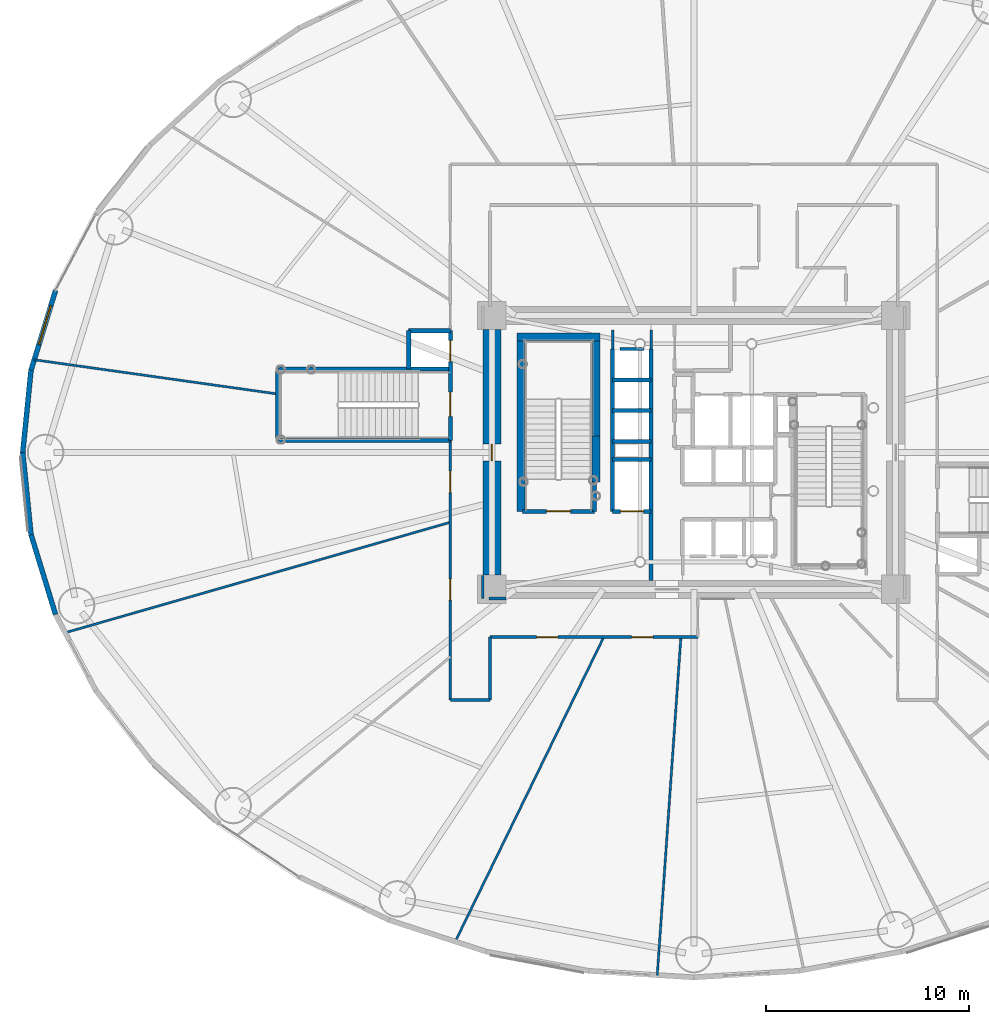
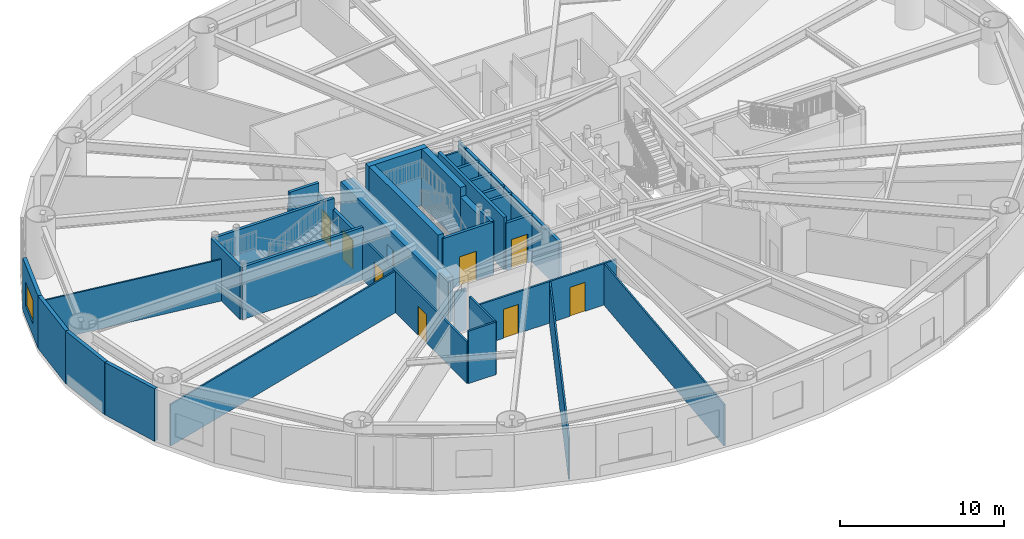
# One storey, part 13 of 27: 37 walls, 9 doors, 1 window, 10 openings.
"""IFC4 building model written with IfcOpenShell, lengths in metres."""

from ifc_helpers import new_model, si_unit, direction, frame, frame_2d, origin, origin_2d, place, context, subcontext, project, spatial, rectangle, extrude, source, transform, mapped, material, layer, layer_set, type_object, element, fill, save


model = new_model("IFC4")

# Units and contexts
model_context = context("Model", 3, precision=1e-05, world=origin(), true_north=direction((0.0, 1.0)))
body_context = subcontext(model_context, "Body", "Model", "MODEL_VIEW")
ifc_project = project(units=[si_unit("LENGTHUNIT", "METRE"), si_unit("AREAUNIT", "SQUARE_METRE"), si_unit("VOLUMEUNIT", "CUBIC_METRE"), si_unit("PLANEANGLEUNIT", "RADIAN"), si_unit("MASSUNIT", "GRAM", prefix="KILO")], contexts=[model_context])

# Site, building, storey
site_placement = place(None, origin())
site = spatial("IfcSite", under=ifc_project, at=site_placement, CompositionType="ELEMENT")
building_placement = place(site_placement, origin())
building = spatial("IfcBuilding", under=site, at=building_placement, Name="Linh Dai School and Residence Tower", CompositionType="ELEMENT")
storey_placement = place(building_placement, frame((0.0, 0.0, 14.39990234375)))
storey = spatial("IfcBuildingStorey", under=building, at=storey_placement, Name="L03", CompositionType="ELEMENT", Elevation=14.39990234375)

# Wall, opening, window
ifc_material_1 = material(Name="Precast Concrete B45 (C35/45)", Category="concrete")
ifc_layer_1 = layer(ifc_material_1, 0.25)
ifc_layer_set_1 = layer_set([ifc_layer_1], Name="Precast Concrete B45 (C35/45)")
wall_type_1 = type_object("IfcWallType", Name="EW-TC-250", PredefinedType="SOLIDWALL", material=ifc_layer_set_1)
wall_1_placement = place(storey_placement, frame((3.331298828125, 31.04248046875, 0.0), z_axis=(0.0, 0.0, 1.0), x_axis=(0.293070945898, 0.956090696885, 0.0)))
wall_1 = element("IfcWall", 1, at=wall_1_placement, inside=storey, type_object=wall_type_1, Name="L03 Terracotta Exterior Wall 19", PredefinedType="SOLIDWALL", context=body_context, shape_type="SweptSolid", body=[
    extrude(rectangle(XDim=4.125244140625, YDim=0.25, at=frame_2d((2.0625, 0.0))), origin(), (0.0, 0.0, 1.0), 3.900146484375),
])
opening_1_placement = place(wall_1_placement, frame((1.341552734375, 0.0, 0.89990234375)))
opening_1 = element("IfcOpeningElement", 2, at=opening_1_placement, cuts=wall_1, Name="Opening W1", PredefinedType="OPENING", context=body_context, shape_type="SweptSolid", body=[
    extrude(rectangle(XDim=2.0, YDim=1.75, at=origin_2d()), frame((1.0, 0.135009765625, 0.875), z_axis=(0.0, -1.0, 0.0), x_axis=(1.0, 0.0, 0.0)), (0.0, 0.0, 1.0), 0.27001953125),
])
ifc_material_2 = material(Name="Double Low-E Insulated Glazing", Category="glass")
window_type = type_object("IfcWindowType", Name="WN-RES-2000x1750", PartitioningType="DOUBLE_PANEL_VERTICAL", PredefinedType="WINDOW", material=ifc_material_2)
shared_shape_1 = source(origin(), body_context, "Body", "SweptSolid", [
    extrude(rectangle(XDim=2.0, YDim=1.75, at=origin_2d()), frame((1.0, 0.030029296875, 0.875), z_axis=(0.0, -1.0, 0.0), x_axis=(1.0, 0.0, 0.0)), (0.0, 0.0, 1.0), 0.06005859375),
])
window_placement = place(opening_1_placement, origin())
window = element("IfcWindow", 3, at=window_placement, inside=storey, type_object=window_type, Name="L03 Exterior Window 19.1", OverallHeight=1.75, OverallWidth=2.0, PartitioningType="DOUBLE_PANEL_VERTICAL", PredefinedType="WINDOW", context=body_context, shape_type="MappedRepresentation", body=[
    mapped(shared_shape_1, transform((0.0, 0.0, 0.0), x_axis=(1.0, 0.0, 0.0), y_axis=(0.0, 1.0, 0.0), z_axis=(0.0, 0.0, 1.0), scale=1.0)),
])
fill(opening_1, window)

# Walls
for number, where, z_axis, x_axis, name in (
    (4, (2.925048828125, 27.0, 0.0), (0.0, 0.0, 1.0), (0.099991575324, 0.994988283782, 0.0), "L03 Terracotta Exterior Wall 20"),
    (5, (3.331298828125, 22.95751953125, 0.0), (0.0, 0.0, 1.0), (-0.099991575324, 0.994988283782, 0.0), "L03 Terracotta Exterior Wall 21"),
):
    element("IfcWall", number, at=place(storey_placement, frame(where, z_axis=z_axis, x_axis=x_axis)), inside=storey, type_object=wall_type_1, Name=name, PredefinedType="SOLIDWALL", context=body_context, shape_type="SweptSolid", body=[
        extrude(rectangle(XDim=4.062744140625, YDim=0.25, at=frame_2d((2.03125, 0.0))), origin(), (0.0, 0.0, 1.0), 3.900146484375),
    ])
wall_2_placement = place(storey_placement, frame((4.540283203125, 19.013427734375, 0.0), z_axis=(0.0, 0.0, 1.0), x_axis=(-0.293070945898, 0.956090696885, 0.0)))
element("IfcWall", 6, at=wall_2_placement, inside=storey, type_object=wall_type_1, Name="L03 Terracotta Exterior Wall 22", PredefinedType="SOLIDWALL", context=body_context, shape_type="SweptSolid", body=[
    extrude(rectangle(XDim=4.125244140625, YDim=0.25, at=frame_2d((2.0625, 0.0))), origin(), (0.0, 0.0, 1.0), 3.900146484375),
])

# Wall, openings, doors
ifc_material_3 = material(Name="Autoclaved Aerated Concrete Blockwork", Category="masonry")
ifc_layer_2 = layer(ifc_material_3, 0.135009765625)
ifc_layer_set_2 = layer_set([ifc_layer_2], Name="Autoclaved Aerated Concrete Blockwork")
wall_type_2 = type_object("IfcWallType", Name="IW-CORR-135-EI90", PredefinedType="PARTITIONING", material=ifc_layer_set_2)
wall_3_placement = place(storey_placement, frame((24.0, 14.800048828125, 0.0), z_axis=(0.0, 0.0, 1.0), x_axis=(0.0, 1.0, 0.0)))
wall_3 = element("IfcWall", 7, at=wall_3_placement, inside=storey, type_object=wall_type_2, Name="L03 Interior Partition Wall 011", PredefinedType="PARTITIONING", context=body_context, shape_type="SweptSolid", body=[
    extrude(rectangle(XDim=12.780029296875, YDim=0.135009765625, at=frame_2d((6.39013671875, 0.0))), origin(), (0.0, 0.0, 1.0), 3.085205078125),
])
opening_2_placement = place(wall_3_placement, frame((10.224609375, 0.0, 0.0)))
opening_2 = element("IfcOpeningElement", 8, at=opening_2_placement, cuts=wall_3, Name="Opening D04", PredefinedType="OPENING", context=body_context, shape_type="SweptSolid", body=[
    extrude(rectangle(XDim=1.050048828125, YDim=2.14990234375, at=origin_2d()), frame((0.52490234375, 0.07763671875, 1.074951171875), z_axis=(0.0, -1.0, 0.0), x_axis=(1.0, 0.0, 0.0)), (0.0, 0.0, 1.0), 0.155029296875),
])
opening_3_placement = place(wall_3_placement, frame((4.919921875, 0.0, 0.0)))
opening_3 = element("IfcOpeningElement", 9, at=opening_3_placement, cuts=wall_3, Name="Opening D04", PredefinedType="OPENING", context=body_context, shape_type="SweptSolid", body=[
    extrude(rectangle(XDim=1.050048828125, YDim=2.14990234375, at=origin_2d()), frame((0.52490234375, 0.07763671875, 1.074951171875), z_axis=(0.0, -1.0, 0.0), x_axis=(1.0, 0.0, 0.0)), (0.0, 0.0, 1.0), 0.155029296875),
])
ifc_material_4 = material(Name="Acoustic Vision-Panel Timber Classroom Door", Category="wood")
door_type_1 = type_object("IfcDoorType", Name="DR-SCH-1050x2150-FD60S", OperationType="NOTDEFINED", PredefinedType="DOOR", material=ifc_material_4)
shared_shape_2 = source(origin(), body_context, "Body", "SweptSolid", [
    extrude(rectangle(XDim=1.050048828125, YDim=2.14990234375, at=origin_2d()), frame((0.52490234375, 0.02490234375, 1.074951171875), z_axis=(0.0, -1.0, 0.0), x_axis=(1.0, 0.0, 0.0)), (0.0, 0.0, 1.0), 0.050048828125),
])
door_1_placement = place(opening_2_placement, origin())
door_1 = element("IfcDoor", 10, at=door_1_placement, inside=storey, type_object=door_type_1, Name="L03 Middle School Classroom 3 Door", OperationType="SINGLE_SWING_LEFT", OverallHeight=2.14990234375, OverallWidth=1.050048828125, PredefinedType="DOOR", context=body_context, shape_type="MappedRepresentation", body=[
    mapped(shared_shape_2, transform((0.0, 0.0, 0.0), x_axis=(1.0, 0.0, 0.0), y_axis=(0.0, 1.0, 0.0), z_axis=(0.0, 0.0, 1.0), scale=1.0)),
])
fill(opening_2, door_1)
door_2_placement = place(opening_3_placement, origin())
door_2 = element("IfcDoor", 11, at=door_2_placement, inside=storey, type_object=door_type_1, Name="L03 Middle School Classroom 4 Door", OperationType="SINGLE_SWING_RIGHT", OverallHeight=2.14990234375, OverallWidth=1.050048828125, PredefinedType="DOOR", context=body_context, shape_type="MappedRepresentation", body=[
    mapped(shared_shape_2, transform((0.0, 0.0, 0.0), x_axis=(1.0, 0.0, 0.0), y_axis=(0.0, 1.0, 0.0), z_axis=(0.0, 0.0, 1.0), scale=1.0)),
])
fill(opening_3, door_2)

# Walls
wall_4_placement = place(storey_placement, frame((24.0, 14.800048828125, 0.0), z_axis=(0.0, 0.0, 1.0), x_axis=(1.0, 0.0, 0.0)))
element("IfcWall", 12, at=wall_4_placement, inside=storey, type_object=wall_type_2, Name="L03 Interior Partition Wall 012", PredefinedType="PARTITIONING", context=body_context, shape_type="SweptSolid", body=[
    extrude(rectangle(XDim=1.949951171875, YDim=0.135009765625, at=frame_2d((0.97509765625, 0.0))), origin(), (0.0, 0.0, 1.0), 3.900146484375),
])
wall_5_placement = place(storey_placement, frame((25.949951171875, 14.800048828125, 0.0), z_axis=(0.0, 0.0, 1.0), x_axis=(0.0, 1.0, 0.0)))
element("IfcWall", 13, at=wall_5_placement, inside=storey, type_object=wall_type_2, Name="L03 Interior Partition Wall 017", PredefinedType="PARTITIONING", context=body_context, shape_type="SweptSolid", body=[
    extrude(rectangle(XDim=3.099853515625, YDim=0.135009765625, at=frame_2d((1.5498046875, 0.0))), origin(), (0.0, 0.0, 1.0), 3.900146484375),
])

# Wall, openings, doors
wall_6_placement = place(storey_placement, frame((25.949951171875, 17.89990234375, 0.0), z_axis=(0.0, 0.0, 1.0), x_axis=(1.0, 0.0, 0.0)))
wall_6 = element("IfcWall", 14, at=wall_6_placement, inside=storey, type_object=wall_type_2, Name="L03 Interior Partition Wall 018", PredefinedType="PARTITIONING", context=body_context, shape_type="SweptSolid", body=[
    extrude(rectangle(XDim=10.25, YDim=0.135009765625, at=frame_2d((5.125, 0.0))), origin(), (0.0, 0.0, 1.0), 3.085205078125),
])
opening_4_placement = place(wall_6_placement, frame((2.30078125, 0.0, 0.0)))
opening_4 = element("IfcOpeningElement", 15, at=opening_4_placement, cuts=wall_6, Name="Opening D04", PredefinedType="OPENING", context=body_context, shape_type="SweptSolid", body=[
    extrude(rectangle(XDim=1.050048828125, YDim=2.14990234375, at=origin_2d()), frame((0.52490234375, 0.07763671875, 1.074951171875), z_axis=(0.0, -1.0, 0.0), x_axis=(1.0, 0.0, 0.0)), (0.0, 0.0, 1.0), 0.155029296875),
])
opening_5_placement = place(wall_6_placement, frame((6.98779296875, 0.0, 0.0)))
opening_5 = element("IfcOpeningElement", 16, at=opening_5_placement, cuts=wall_6, Name="Opening D04", PredefinedType="OPENING", context=body_context, shape_type="SweptSolid", body=[
    extrude(rectangle(XDim=1.050048828125, YDim=2.14990234375, at=origin_2d()), frame((0.52490234375, 0.07763671875, 1.074951171875), z_axis=(0.0, -1.0, 0.0), x_axis=(1.0, 0.0, 0.0)), (0.0, 0.0, 1.0), 0.155029296875),
])
door_3_placement = place(opening_4_placement, origin())
door_3 = element("IfcDoor", 17, at=door_3_placement, inside=storey, type_object=door_type_1, Name="L03 Middle School Classroom 5 Door", OperationType="SINGLE_SWING_LEFT", OverallHeight=2.14990234375, OverallWidth=1.050048828125, PredefinedType="DOOR", context=body_context, shape_type="MappedRepresentation", body=[
    mapped(shared_shape_2, transform((0.0, 0.0, 0.0), x_axis=(1.0, 0.0, 0.0), y_axis=(0.0, 1.0, 0.0), z_axis=(0.0, 0.0, 1.0), scale=1.0)),
])
fill(opening_4, door_3)
door_4_placement = place(opening_5_placement, origin())
door_4 = element("IfcDoor", 18, at=door_4_placement, inside=storey, type_object=door_type_1, Name="L03 Middle School Classroom 6 Door", OperationType="SINGLE_SWING_RIGHT", OverallHeight=2.14990234375, OverallWidth=1.050048828125, PredefinedType="DOOR", context=body_context, shape_type="MappedRepresentation", body=[
    mapped(shared_shape_2, transform((0.0, 0.0, 0.0), x_axis=(1.0, 0.0, 0.0), y_axis=(0.0, 1.0, 0.0), z_axis=(0.0, 0.0, 1.0), scale=1.0)),
])
fill(opening_5, door_4)

# Walls
wall_7_placement = place(storey_placement, frame((32.360107421875, 32.10009765625, 0.0), z_axis=(0.0, 0.0, 1.0), x_axis=(1.0, 0.0, 0.0)))
element("IfcWall", 19, at=wall_7_placement, inside=storey, type_object=wall_type_2, Name="L03 Interior Partition Wall 083", PredefinedType="PARTITIONING", context=body_context, shape_type="SweptSolid", body=[
    extrude(rectangle(XDim=1.179931640625, YDim=0.135009765625, at=frame_2d((0.58984375, 0.0))), origin(), (0.0, 0.0, 1.0), 3.485107421875),
])
wall_8_placement = place(storey_placement, frame((32.0, 33.0400390625, 0.0), z_axis=(0.0, 0.0, 1.0), x_axis=(0.0, -1.0, 0.0)))
element("IfcWall", 20, at=wall_8_placement, inside=storey, type_object=wall_type_2, Name="L03 Interior Partition Wall 085", PredefinedType="PARTITIONING", context=body_context, shape_type="SweptSolid", body=[
    extrude(rectangle(XDim=0.929931640625, YDim=0.135009765625, at=frame_2d((0.46484375, 0.0))), origin(), (0.0, 0.0, 1.0), 3.43505859375),
])
wall_9_placement = place(storey_placement, frame((33.89990234375, 32.110107421875, 0.0), z_axis=(0.0, 0.0, 1.0), x_axis=(0.0, 1.0, 0.0)))
element("IfcWall", 21, at=wall_9_placement, inside=storey, type_object=wall_type_2, Name="L03 Interior Partition Wall 088", PredefinedType="PARTITIONING", context=body_context, shape_type="SweptSolid", body=[
    extrude(rectangle(XDim=0.929931640625, YDim=0.135009765625, at=frame_2d((0.46484375, 0.0))), origin(), (0.0, 0.0, 1.0), 3.485107421875),
])
wall_10_placement = place(storey_placement, frame((25.60009765625, 20.93994140625, 0.0), z_axis=(0.0, 0.0, 1.0), x_axis=(0.0, -1.0, 0.0)))
element("IfcWall", 22, at=wall_10_placement, inside=storey, type_object=wall_type_2, Name="L03 Interior Partition Wall 103", PredefinedType="PARTITIONING", context=body_context, shape_type="SweptSolid", body=[
    extrude(rectangle(XDim=1.139892578125, YDim=0.135009765625, at=frame_2d((0.56982421875, 0.0))), origin(), (0.0, 0.0, 1.0), 3.900146484375),
])
wall_11_placement = place(storey_placement, frame((25.907470703125, 19.800048828125, 0.0), z_axis=(0.0, 0.0, 1.0), x_axis=(1.0, 0.0, 0.0)))
element("IfcWall", 23, at=wall_11_placement, inside=storey, type_object=wall_type_2, Name="L03 Interior Partition Wall 104", PredefinedType="PARTITIONING", context=body_context, shape_type="SweptSolid", body=[
    extrude(rectangle(XDim=0.83251953125, YDim=0.135009765625, at=frame_2d((0.416259765625, 0.0))), origin(), (0.0, 0.0, 1.0), 3.085205078125),
])
ifc_material_5 = material(Name="Acoustic Operable Timber Panel Partition", Category="wood")
ifc_layer_3 = layer(ifc_material_5, 0.110107421875)
ifc_layer_set_3 = layer_set([ifc_layer_3], Name="Acoustic Operable Timber Panel Partition")
wall_type_3 = type_object("IfcWallType", Name="IW-MOV-110", PredefinedType="MOVABLE", material=ifc_layer_set_3)
wall_12_placement = place(storey_placement, frame((3.487548828125, 31.5693359375, 0.0), z_axis=(0.0, 0.0, 1.0), x_axis=(0.990266697118, -0.139182860221, 0.0)))
element("IfcWall", 24, at=wall_12_placement, inside=storey, type_object=wall_type_3, Name="L03 Interior Partition Wall 001", PredefinedType="MOVABLE", context=body_context, shape_type="SweptSolid", body=[
    extrude(rectangle(XDim=12.1103515625, YDim=0.110107421875, at=frame_2d((6.05517578125, 0.0))), origin(), (0.0, 0.0, 1.0), 3.085205078125),
])
wall_13_placement = place(storey_placement, frame((5.010498046875, 18.114013671875, 0.0), z_axis=(0.0, 0.0, 1.0), x_axis=(0.9612628186, 0.275633440599, 0.0)))
element("IfcWall", 25, at=wall_13_placement, inside=storey, type_object=wall_type_3, Name="L03 Interior Partition Wall 002", PredefinedType="MOVABLE", context=body_context, shape_type="SweptSolid", body=[
    extrude(rectangle(XDim=19.754638671875, YDim=0.110107421875, at=frame_2d((9.87744140625, 0.0))), origin(), (0.0, 0.0, 1.0), 3.085205078125),
])
wall_14_placement = place(storey_placement, frame((24.238525390625, 2.8857421875, 0.0), z_axis=(0.0, 0.0, 1.0), x_axis=(0.438376120456, 0.898791620463, 0.0)))
element("IfcWall", 26, at=wall_14_placement, inside=storey, type_object=wall_type_3, Name="L03 Interior Partition Wall 016", PredefinedType="MOVABLE", context=body_context, shape_type="SweptSolid", body=[
    extrude(rectangle(XDim=16.704833984375, YDim=0.110107421875, at=frame_2d((8.3525390625, 0.0))), origin(), (0.0, 0.0, 1.0), 3.085205078125),
])
wall_15_placement = place(storey_placement, frame((34.197998046875, 1.23095703125, 0.0), z_axis=(0.0, 0.0, 1.0), x_axis=(0.069766316907, 0.99756336191, 0.0)))
element("IfcWall", 27, at=wall_15_placement, inside=storey, type_object=wall_type_3, Name="L03 Interior Partition Wall 028", PredefinedType="MOVABLE", context=body_context, shape_type="SweptSolid", body=[
    extrude(rectangle(XDim=16.709716796875, YDim=0.110107421875, at=frame_2d((8.35498046875, 0.0))), origin(), (0.0, 0.0, 1.0), 3.085205078125),
])
ifc_material_6 = material(Name="Concrete B45 (C35/45)", Category="concrete")
ifc_layer_4 = layer(ifc_material_6, 0.199951171875)
ifc_layer_set_4 = layer_set([ifc_layer_4], Name="Concrete B45 (C35/45)")
wall_type_4 = type_object("IfcWallType", Name="IW-SHAFT-200-EI120", PredefinedType="PARTITIONING", material=ifc_layer_set_4)
wall_16_placement = place(storey_placement, frame((15.47998046875, 27.580078125, 0.0), z_axis=(0.0, 0.0, 1.0), x_axis=(0.0, 1.0, 0.0)))
element("IfcWall", 28, at=wall_16_placement, inside=storey, type_object=wall_type_4, Name="L03 Interior Partition Wall 005", PredefinedType="PARTITIONING", context=body_context, shape_type="SweptSolid", body=[
    extrude(rectangle(XDim=3.5400390625, YDim=0.199951171875, at=frame_2d((1.77001953125, 0.0))), origin(), (0.0, 0.0, 1.0), 3.900146484375),
])
for number, where, z_axis, x_axis, name in (
    (29, (15.47998046875, 27.580078125, 0.0), (0.0, 0.0, 1.0), (1.0, 0.0, 0.0), "L03 Interior Partition Wall 006"),
    (30, (15.47998046875, 31.1201171875, 0.0), (0.0, 0.0, 1.0), (1.0, 0.0, 0.0), "L03 Interior Partition Wall 007"),
):
    element("IfcWall", number, at=place(storey_placement, frame(where, z_axis=z_axis, x_axis=x_axis)), inside=storey, type_object=wall_type_4, Name=name, PredefinedType="PARTITIONING", context=body_context, shape_type="SweptSolid", body=[
        extrude(rectangle(XDim=8.52001953125, YDim=0.199951171875, at=frame_2d((4.260009765625, 0.0))), origin(), (0.0, 0.0, 1.0), 3.900146484375),
    ])
wall_17_placement = place(storey_placement, frame((21.949951171875, 31.1201171875, 0.0), z_axis=(0.0, 0.0, 1.0), x_axis=(0.0, 1.0, 0.0)))
element("IfcWall", 31, at=wall_17_placement, inside=storey, type_object=wall_type_4, Name="L03 Interior Partition Wall 009", PredefinedType="PARTITIONING", context=body_context, shape_type="SweptSolid", body=[
    extrude(rectangle(XDim=1.8798828125, YDim=0.199951171875, at=frame_2d((0.93994140625, 0.0))), origin(), (0.0, 0.0, 1.0), 3.085205078125),
])
wall_18_placement = place(storey_placement, frame((21.949951171875, 33.0, 0.0), z_axis=(0.0, 0.0, 1.0), x_axis=(1.0, 0.0, 0.0)))
element("IfcWall", 32, at=wall_18_placement, inside=storey, type_object=wall_type_4, Name="L03 Interior Partition Wall 010", PredefinedType="PARTITIONING", context=body_context, shape_type="SweptSolid", body=[
    extrude(rectangle(XDim=2.050048828125, YDim=0.199951171875, at=frame_2d((1.02490234375, 0.0))), origin(), (0.0, 0.0, 1.0), 3.900146484375),
])

# Wall, openings, doors
wall_19_placement = place(storey_placement, frame((24.0, 27.590087890625, 0.0), z_axis=(0.0, 0.0, 1.0), x_axis=(0.0, 1.0, 0.0)))
wall_19 = element("IfcWall", 33, at=wall_19_placement, inside=storey, type_object=wall_type_4, Name="L03 Interior Partition Wall 013", PredefinedType="PARTITIONING", context=body_context, shape_type="SweptSolid", body=[
    extrude(rectangle(XDim=5.409912109375, YDim=0.199951171875, at=frame_2d((2.705078125, 0.0))), origin(), (0.0, 0.0, 1.0), 3.085205078125),
])
opening_6_placement = place(wall_19_placement, frame((1.18505859375, 0.0, 0.0)))
opening_6 = element("IfcOpeningElement", 34, at=opening_6_placement, cuts=wall_19, Name="Opening D01", PredefinedType="OPENING", context=body_context, shape_type="SweptSolid", body=[
    extrude(rectangle(XDim=1.199951171875, YDim=2.14990234375, at=origin_2d()), frame((0.60009765625, 0.10986328125, 1.074951171875), z_axis=(0.0, -1.0, 0.0), x_axis=(1.0, 0.0, 0.0)), (0.0, 0.0, 1.0), 0.219970703125),
])
opening_7_placement = place(wall_19_placement, frame((3.889892578125, 0.0, 0.0)))
opening_7 = element("IfcOpeningElement", 35, at=opening_7_placement, cuts=wall_19, Name="Opening LD-SL1", PredefinedType="OPENING", context=body_context, shape_type="SweptSolid", body=[
    extrude(rectangle(XDim=1.050048828125, YDim=2.14990234375, at=origin_2d()), frame((0.52490234375, 0.10986328125, 1.074951171875), z_axis=(0.0, -1.0, 0.0), x_axis=(1.0, 0.0, 0.0)), (0.0, 0.0, 1.0), 0.219970703125),
])
ifc_material_7 = material(Name="Fire-Rated Steel Door Leaf", Category="steel")
door_type_2 = type_object("IfcDoorType", Name="DR-STAIR-1200x2150-FD90S", OperationType="NOTDEFINED", PredefinedType="DOOR", material=ifc_material_7)
shared_shape_3 = source(origin(), body_context, "Body", "SweptSolid", [
    extrude(rectangle(XDim=1.199951171875, YDim=2.14990234375, at=origin_2d()), frame((0.60009765625, 0.02490234375, 1.074951171875), z_axis=(0.0, -1.0, 0.0), x_axis=(1.0, 0.0, 0.0)), (0.0, 0.0, 1.0), 0.050048828125),
])
door_5_placement = place(opening_6_placement, origin())
door_5 = element("IfcDoor", 36, at=door_5_placement, inside=storey, type_object=door_type_2, Name="L03 Exit Stair STS1 Door", OperationType="SINGLE_SWING_RIGHT", OverallHeight=2.14990234375, OverallWidth=1.199951171875, PredefinedType="DOOR", context=body_context, shape_type="MappedRepresentation", body=[
    mapped(shared_shape_3, transform((0.0, 0.0, 0.0), x_axis=(1.0, 0.0, 0.0), y_axis=(0.0, 1.0, 0.0), z_axis=(0.0, 0.0, 1.0), scale=1.0)),
])
fill(opening_6, door_5)
ifc_material_8 = material(Name="Brushed Stainless Steel Lift Landing Door", Category="steel")
door_type_3 = type_object("IfcDoorType", Name="DR-LD-PASS-1050x2150", OperationType="DOUBLE_DOOR_SLIDING", PredefinedType="USERDEFINED", material=ifc_material_8)
shared_shape_4 = source(origin(), body_context, "Body", "SweptSolid", [
    extrude(rectangle(XDim=1.050048828125, YDim=2.14990234375, at=origin_2d()), frame((0.52490234375, 0.02490234375, 1.074951171875), z_axis=(0.0, -1.0, 0.0), x_axis=(1.0, 0.0, 0.0)), (0.0, 0.0, 1.0), 0.050048828125),
])
door_6_placement = place(opening_7_placement, origin())
door_6 = element("IfcDoor", 37, at=door_6_placement, inside=storey, type_object=door_type_3, Name="L03 Lift SL1 Sliding Landing Door", ObjectType="LANDING DOOR", OperationType="DOUBLE_DOOR_SLIDING", OverallHeight=2.14990234375, OverallWidth=1.050048828125, PredefinedType="USERDEFINED", context=body_context, shape_type="MappedRepresentation", body=[
    mapped(shared_shape_4, transform((0.0, 0.0, 0.0), x_axis=(1.0, 0.0, 0.0), y_axis=(0.0, 1.0, 0.0), z_axis=(0.0, 0.0, 1.0), scale=1.0)),
])
fill(opening_7, door_6)

# Wall, opening, door
wall_20_placement = place(storey_placement, frame((27.56005859375, 24.10009765625, 0.0), z_axis=(0.0, 0.0, 1.0), x_axis=(1.0, 0.0, 0.0)))
wall_20 = element("IfcWall", 38, at=wall_20_placement, inside=storey, type_object=wall_type_4, Name="L03 Interior Partition Wall 019", PredefinedType="PARTITIONING", context=body_context, shape_type="SweptSolid", body=[
    extrude(rectangle(XDim=3.5400390625, YDim=0.199951171875, at=frame_2d((1.77001953125, 0.0))), origin(), (0.0, 0.0, 1.0), 3.900146484375),
])
opening_8_placement = place(wall_20_placement, frame((1.169921875, 0.0, 0.0)))
opening_8 = element("IfcOpeningElement", 39, at=opening_8_placement, cuts=wall_20, Name="Opening D01", PredefinedType="OPENING", context=body_context, shape_type="SweptSolid", body=[
    extrude(rectangle(XDim=1.199951171875, YDim=2.14990234375, at=origin_2d()), frame((0.60009765625, 0.10986328125, 1.074951171875), z_axis=(0.0, -1.0, 0.0), x_axis=(1.0, 0.0, 0.0)), (0.0, 0.0, 1.0), 0.219970703125),
])
door_7_placement = place(opening_8_placement, origin())
door_7 = element("IfcDoor", 40, at=door_7_placement, inside=storey, type_object=door_type_2, Name="L03 Core Smokeproof Exit Stair ST1 Door", OperationType="SINGLE_SWING_RIGHT", OverallHeight=2.14990234375, OverallWidth=1.199951171875, PredefinedType="DOOR", context=body_context, shape_type="MappedRepresentation", body=[
    mapped(shared_shape_3, transform((0.0, 0.0, 0.0), x_axis=(1.0, 0.0, 0.0), y_axis=(0.0, 1.0, 0.0), z_axis=(0.0, 0.0, 1.0), scale=1.0)),
])
fill(opening_8, door_7)

# Walls
wall_21_placement = place(storey_placement, frame((31.10009765625, 24.10009765625, 0.0), z_axis=(0.0, 0.0, 1.0), x_axis=(0.0, 1.0, 0.0)))
element("IfcWall", 41, at=wall_21_placement, inside=storey, type_object=wall_type_4, Name="L03 Interior Partition Wall 020", PredefinedType="PARTITIONING", context=body_context, shape_type="SweptSolid", body=[
    extrude(rectangle(XDim=1.43994140625, YDim=0.199951171875, at=frame_2d((0.719970703125, 0.0))), origin(), (0.0, 0.0, 1.0), 3.900146484375),
])
wall_22_placement = place(storey_placement, frame((32.0, 24.10009765625, 0.0), z_axis=(0.0, 0.0, 1.0), x_axis=(0.0, 1.0, 0.0)))
element("IfcWall", 42, at=wall_22_placement, inside=storey, type_object=wall_type_4, Name="L03 Interior Partition Wall 021", PredefinedType="PARTITIONING", context=body_context, shape_type="SweptSolid", body=[
    extrude(rectangle(XDim=8.0, YDim=0.199951171875, at=frame_2d((4.0, 0.0))), origin(), (0.0, 0.0, 1.0), 3.900146484375),
])

# Wall, opening, door
wall_23_placement = place(storey_placement, frame((32.0, 24.10009765625, 0.0), z_axis=(0.0, 0.0, 1.0), x_axis=(1.0, 0.0, 0.0)))
wall_23 = element("IfcWall", 43, at=wall_23_placement, inside=storey, type_object=wall_type_4, Name="L03 Interior Partition Wall 022", PredefinedType="PARTITIONING", context=body_context, shape_type="SweptSolid", body=[
    extrude(rectangle(XDim=1.89990234375, YDim=0.199951171875, at=frame_2d((0.949951171875, 0.0))), origin(), (0.0, 0.0, 1.0), 3.485107421875),
])
opening_9_placement = place(wall_23_placement, frame((0.375, 0.0, 0.0)))
opening_9 = element("IfcOpeningElement", 44, at=opening_9_placement, cuts=wall_23, Name="Opening LD-FF2", PredefinedType="OPENING", context=body_context, shape_type="SweptSolid", body=[
    extrude(rectangle(XDim=1.14990234375, YDim=2.14990234375, at=origin_2d()), frame((0.574951171875, 0.10986328125, 1.074951171875), z_axis=(0.0, -1.0, 0.0), x_axis=(1.0, 0.0, 0.0)), (0.0, 0.0, 1.0), 0.219970703125),
])
ifc_material_9 = material(Name="Fire-Rated Stainless Steel Firefighting Lift Door", Category="steel")
door_type_4 = type_object("IfcDoorType", Name="DR-LD-FF-1150x2150-FD120", OperationType="DOUBLE_DOOR_SLIDING", PredefinedType="USERDEFINED", material=ifc_material_9)
shared_shape_5 = source(origin(), body_context, "Body", "SweptSolid", [
    extrude(rectangle(XDim=1.14990234375, YDim=2.14990234375, at=origin_2d()), frame((0.574951171875, 0.02490234375, 1.074951171875), z_axis=(0.0, -1.0, 0.0), x_axis=(1.0, 0.0, 0.0)), (0.0, 0.0, 1.0), 0.050048828125),
])
door_8_placement = place(opening_9_placement, origin())
door_8 = element("IfcDoor", 45, at=door_8_placement, inside=storey, type_object=door_type_4, Name="L03 Lift FF2 Sliding Landing Door", ObjectType="LANDING DOOR", OperationType="DOUBLE_DOOR_SLIDING", OverallHeight=2.14990234375, OverallWidth=1.14990234375, PredefinedType="USERDEFINED", context=body_context, shape_type="MappedRepresentation", body=[
    mapped(shared_shape_5, transform((0.0, 0.0, 0.0), x_axis=(1.0, 0.0, 0.0), y_axis=(0.0, 1.0, 0.0), z_axis=(0.0, 0.0, 1.0), scale=1.0)),
])
fill(opening_9, door_8)

# Walls
for number, where, z_axis, x_axis, name in (
    (46, (32.0, 26.64990234375, 0.0), (0.0, 0.0, 1.0), (1.0, 0.0, 0.0), "L03 Interior Partition Wall 023"),
    (47, (32.0, 27.550048828125, 0.0), (0.0, 0.0, 1.0), (1.0, 0.0, 0.0), "L03 Interior Partition Wall 024"),
    (48, (32.0, 29.06005859375, 0.0), (0.0, 0.0, 1.0), (1.0, 0.0, 0.0), "L03 Interior Partition Wall 025"),
    (49, (32.0, 30.580078125, 0.0), (0.0, 0.0, 1.0), (1.0, 0.0, 0.0), "L03 Interior Partition Wall 026"),
):
    element("IfcWall", number, at=place(storey_placement, frame(where, z_axis=z_axis, x_axis=x_axis)), inside=storey, type_object=wall_type_4, Name=name, PredefinedType="PARTITIONING", context=body_context, shape_type="SweptSolid", body=[
        extrude(rectangle(XDim=1.89990234375, YDim=0.199951171875, at=frame_2d((0.949951171875, 0.0))), origin(), (0.0, 0.0, 1.0), 3.485107421875),
    ])
wall_24_placement = place(storey_placement, frame((33.89990234375, 20.699951171875, 0.0), z_axis=(0.0, 0.0, 1.0), x_axis=(0.0, 1.0, 0.0)))
element("IfcWall", 50, at=wall_24_placement, inside=storey, type_object=wall_type_4, Name="L03 Interior Partition Wall 027", PredefinedType="PARTITIONING", context=body_context, shape_type="SweptSolid", body=[
    extrude(rectangle(XDim=11.400146484375, YDim=0.199951171875, at=frame_2d((5.7001953125, 0.0))), origin(), (0.0, 0.0, 1.0), 3.485107421875),
])
ifc_layer_5 = layer(ifc_material_6, 0.39990234375)
ifc_layer_set_5 = layer_set([ifc_layer_5], Name="Concrete B45 (C35/45)")
wall_type_5 = type_object("IfcWallType", Name="WL-CORE400", PredefinedType="SHEAR", material=ifc_layer_set_5)
wall_25_placement = place(storey_placement, frame((27.47998046875, 24.10009765625, 0.0), z_axis=(0.0, 0.0, 1.0), x_axis=(0.0, 1.0, 0.0)))
element("IfcWall", 51, at=wall_25_placement, inside=storey, type_object=wall_type_5, Name="L03 Core Stair ST1 Bearing Wall W", PredefinedType="SHEAR", context=body_context, shape_type="SweptSolid", body=[
    extrude(rectangle(XDim=8.599853515625, YDim=0.39990234375, at=frame_2d((4.2998046875, 0.0))), origin(), (0.0, 0.0, 1.0), 4.2001953125),
])
wall_26_placement = place(storey_placement, frame((31.179931640625, 27.800048828125, 0.0), z_axis=(0.0, 0.0, 1.0), x_axis=(0.0, 1.0, 0.0)))
element("IfcWall", 52, at=wall_26_placement, inside=storey, type_object=wall_type_5, Name="L03 Core Stair ST1 Bearing Wall E", PredefinedType="SHEAR", context=body_context, shape_type="SweptSolid", body=[
    extrude(rectangle(XDim=4.89990234375, YDim=0.39990234375, at=frame_2d((2.449951171875, 0.0))), origin(), (0.0, 0.0, 1.0), 4.2001953125),
])
wall_27_placement = place(storey_placement, frame((27.280029296875, 32.699951171875, 0.0), z_axis=(0.0, 0.0, 1.0), x_axis=(1.0, 0.0, 0.0)))
element("IfcWall", 53, at=wall_27_placement, inside=storey, type_object=wall_type_5, Name="L03 Core Stair ST1 Bearing Wall N", PredefinedType="SHEAR", context=body_context, shape_type="SweptSolid", body=[
    extrude(rectangle(XDim=4.099853515625, YDim=0.39990234375, at=frame_2d((2.0498046875, 0.0))), origin(), (0.0, 0.0, 1.0), 4.2001953125),
])
wall_28_placement = place(storey_placement, frame((31.179931640625, 25.550048828125, 0.0), z_axis=(0.0, 0.0, 1.0), x_axis=(0.0, 1.0, 0.0)))
element("IfcWall", 54, at=wall_28_placement, inside=storey, type_object=wall_type_5, Name="L03 Internal Core Shear Wall IW", PredefinedType="SHEAR", context=body_context, shape_type="SweptSolid", body=[
    extrude(rectangle(XDim=2.25, YDim=0.39990234375, at=frame_2d((1.125, 0.0))), origin(), (0.0, 0.0, 1.0), 3.5),
])

# Wall, opening, door
ifc_material_10 = material(Name="Concrete B60 (C50/60)", Category="concrete")
ifc_layer_6 = layer(ifc_material_10, 0.89990234375)
ifc_layer_set_6 = layer_set([ifc_layer_6], Name="Concrete B60 (C50/60)")
wall_type_6 = type_object("IfcWallType", Name="WL-CORE900", PredefinedType="SHEAR", material=ifc_layer_set_6)
wall_29_placement = place(storey_placement, frame((26.050048828125, 20.949951171875, 0.0), z_axis=(0.0, 0.0, 1.0), x_axis=(0.0, 1.0, 0.0)))
wall_29 = element("IfcWall", 55, at=wall_29_placement, inside=storey, type_object=wall_type_6, Name="L03 Central Core Shear Wall W", PredefinedType="SHEAR", context=body_context, shape_type="SweptSolid", body=[
    extrude(rectangle(XDim=12.10009765625, YDim=0.89990234375, at=frame_2d((6.050048828125, 0.0))), origin(), (0.0, 0.0, 1.0), 3.35009765625),
])
opening_10_placement = place(wall_29_placement, frame((5.639892578125, 0.0, 0.0)))
opening_10 = element("IfcOpeningElement", 56, at=opening_10_placement, cuts=wall_29, Name="Opening D06", PredefinedType="OPENING", context=body_context, shape_type="SweptSolid", body=[
    extrude(rectangle(XDim=0.820068359375, YDim=2.10009765625, at=origin_2d()), frame((0.41015625, 0.4599609375, 1.050048828125), z_axis=(0.0, -1.0, 0.0), x_axis=(1.0, 0.0, 0.0)), (0.0, 0.0, 1.0), 0.919921875),
])
ifc_material_11 = material(Name="Moisture-Resistant Timber Bathroom Door", Category="wood")
door_type_5 = type_object("IfcDoorType", Name="DR-WET-820x2100", OperationType="NOTDEFINED", PredefinedType="DOOR", material=ifc_material_11)
shared_shape_6 = source(origin(), body_context, "Body", "SweptSolid", [
    extrude(rectangle(XDim=0.820068359375, YDim=2.10009765625, at=origin_2d()), frame((0.41015625, 0.02490234375, 1.050048828125), z_axis=(0.0, -1.0, 0.0), x_axis=(1.0, 0.0, 0.0)), (0.0, 0.0, 1.0), 0.050048828125),
])
door_9_placement = place(opening_10_placement, origin())
door_9 = element("IfcDoor", 57, at=door_9_placement, inside=storey, type_object=door_type_5, Name="L03 Firefighting Lobby Door", OperationType="SINGLE_SWING_LEFT", OverallHeight=2.10009765625, OverallWidth=0.820068359375, PredefinedType="DOOR", context=body_context, shape_type="MappedRepresentation", body=[
    mapped(shared_shape_6, transform((0.0, 0.0, 0.0), x_axis=(1.0, 0.0, 0.0), y_axis=(0.0, 1.0, 0.0), z_axis=(0.0, 0.0, 1.0), scale=1.0)),
])
fill(opening_10, door_9)

save(model, "model.ifc")
